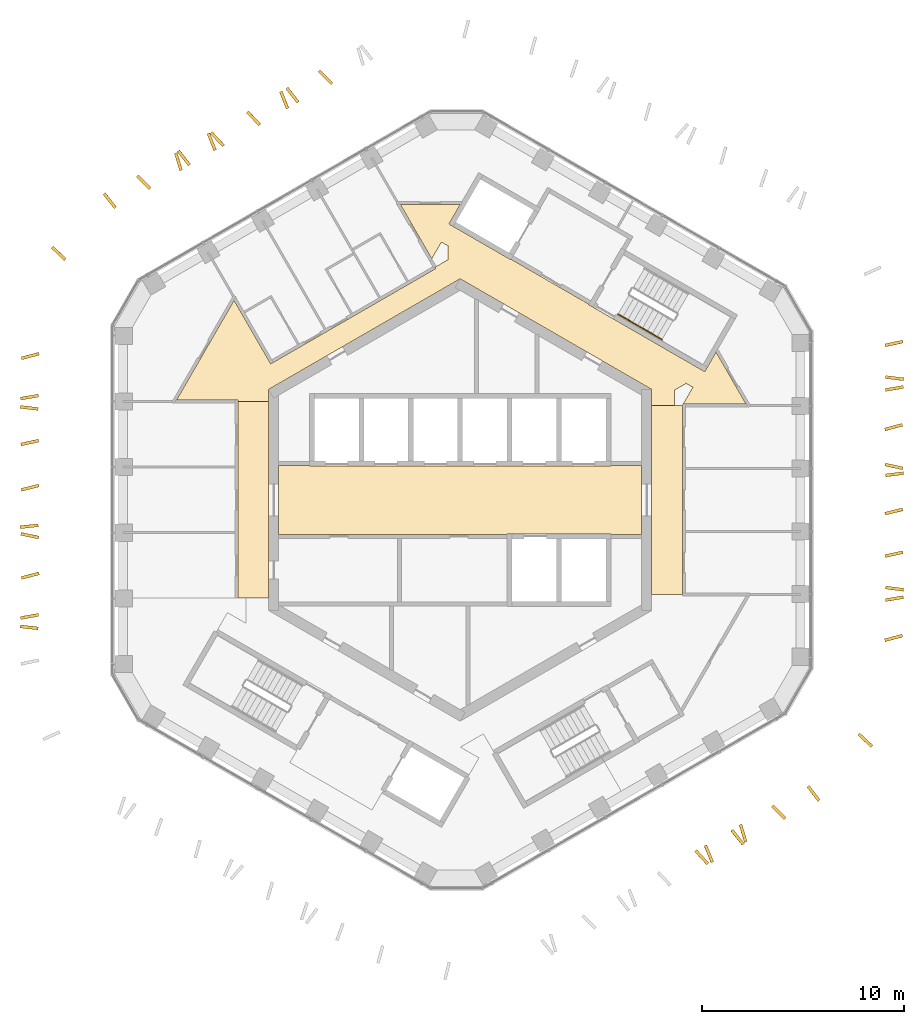
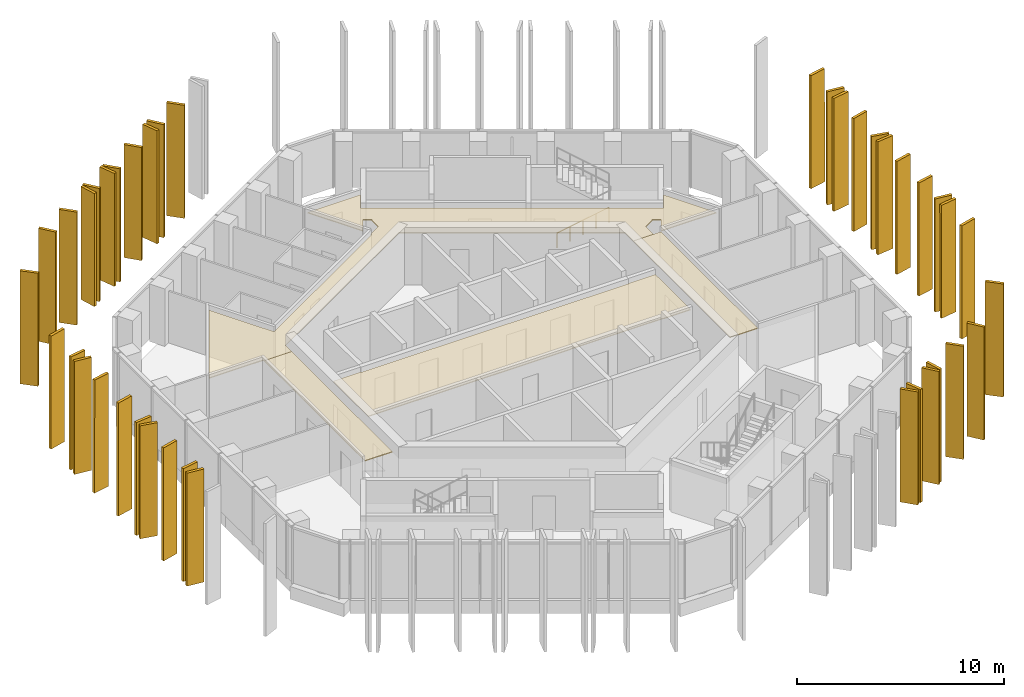
# One storey, part 17 of 18: 39 shading devices, 4 coverings, 2 railings.
"""IFC4 building model written with IfcOpenShell, lengths in metres."""

from ifc_helpers import new_model, si_unit, direction, frame, origin, origin_2d, place, context, subcontext, project, spatial, polyline, circle, outline, extrude, material, layer, layer_set, type_object, element, save


model = new_model("IFC4")

# Units and contexts
model_context = context("Model", 3, precision=1e-05, world=origin(), true_north=direction((0.0, 1.0)))
body_context = subcontext(model_context, "Body", "Model", "MODEL_VIEW")
ifc_project = project(units=[si_unit("LENGTHUNIT", "METRE"), si_unit("AREAUNIT", "SQUARE_METRE"), si_unit("VOLUMEUNIT", "CUBIC_METRE"), si_unit("PLANEANGLEUNIT", "RADIAN"), si_unit("MASSUNIT", "GRAM", prefix="KILO")], contexts=[model_context])

# Site, building, storey
site_placement = place(None, origin())
site = spatial("IfcSite", under=ifc_project, at=site_placement, CompositionType="ELEMENT")
building_placement = place(site_placement, origin())
building = spatial("IfcBuilding", under=site, at=building_placement, Name="Ayvan Gate Tower", CompositionType="ELEMENT")
storey_placement = place(building_placement, frame((0.0, 0.0, 229.10009765625)))
storey = spatial("IfcBuildingStorey", under=building, at=storey_placement, Name="L61", CompositionType="ELEMENT", Elevation=229.10009765625)

# Shading devices
ifc_material_1 = material(Name="Bronze anodised aluminium", Category="aluminium")
ifc_layer_1 = layer(ifc_material_1, 0.14990234375)
ifc_layer_set_1 = layer_set([ifc_layer_1], Name="Bronze anodised aluminium")
shading_device_type = type_object("IfcShadingDeviceType", Name="Bronze fin 900 x 150", PredefinedType="USERDEFINED", material=ifc_layer_set_1)
shading_device_1_placement = place(storey_placement, frame((-6.308349609375, 20.699951171875, 0.0), z_axis=(0.70710676206, 0.70710676206, 0.000232592407), x_axis=(-0.707106781194, 0.707106781179, 4.4618e-08)))
element("IfcShadingDevice", 1, at=shading_device_1_placement, inside=storey, type_object=shading_device_type, Name="Bronze fin FG23.1.3", ObjectType="FIN", PredefinedType="USERDEFINED", context=body_context, shape_type="SweptSolid", body=[
    extrude(outline(polyline([(0.0, 0.0), (0.8999383911927432, 0.0), (0.8999386892363677, 6.679931781161335), (2.980436280154672e-07, 6.679931861467813), (0.0, 0.0)])), origin(), (0.0, 0.0, -1.0), 0.14990234375),
])
shading_device_2_placement = place(storey_placement, frame((-7.97705078125, 19.76806640625, 0.0), z_axis=(0.787728165641, 0.616022955981, 0.000234009453), x_axis=(-0.616022972848, 0.787728187209, 0.0)))
element("IfcShadingDevice", 2, at=shading_device_2_placement, inside=storey, type_object=shading_device_type, Name="Bronze fin FG23.1.5", ObjectType="FIN", PredefinedType="USERDEFINED", context=body_context, shape_type="SweptSolid", body=[
    extrude(outline(polyline([(0.0, 0.0), (0.9000368229962461, 2.710505431213761e-20), (0.9000195383564527, 6.679931823522952), (-1.728463979350089e-05, 6.679931823522952), (0.0, 0.0)])), origin(), (0.0, 0.0, -1.0), 0.14990234375),
])
shading_device_3_placement = place(storey_placement, frame((-8.4921875, 19.4443359375, 0.0), z_axis=(0.92989165778, 0.367833456228, 0.000230803584), x_axis=(-0.367833466025, 0.929891682548, 0.0)))
element("IfcShadingDevice", 3, at=shading_device_3_placement, inside=storey, type_object=shading_device_type, Name="Bronze fin FG23.1.6", ObjectType="FIN", PredefinedType="USERDEFINED", context=body_context, shape_type="SweptSolid", body=[
    extrude(outline(polyline([(0.0, 0.0), (0.9000124188731935, 0.0), (0.9000971887538225, 6.679931818545971), (8.476988062900199e-05, 6.679931818545971), (0.0, 0.0)])), origin(), (0.0, 0.0, -1.0), 0.14990234375),
])
shading_device_4_placement = place(storey_placement, frame((-9.880126953125, 18.6484375, 0.0), z_axis=(0.729198703084, 0.68430198234, 0.000219970107), x_axis=(-0.684301998892, 0.729198720729, -2.1759e-08)))
element("IfcShadingDevice", 4, at=shading_device_4_placement, inside=storey, type_object=shading_device_type, Name="Bronze fin FG23.1.7", ObjectType="FIN", PredefinedType="USERDEFINED", context=body_context, shape_type="SweptSolid", body=[
    extrude(outline(polyline([(0.0, 0.0), (0.8998769049131943, 1.3552527156068805e-20), (0.8999999810281535, 6.679931821818416), (-4.3989802738936035e-05, 6.6799317826541555), (0.0, 0.0)])), origin(), (0.0, 0.0, -1.0), 0.14990234375),
])
shading_device_5_placement = place(storey_placement, frame((-11.67626953125, 17.611572265625, 0.0), z_axis=(0.729135175728, 0.684369667264, 0.000232475852), x_axis=(-0.684369685758, 0.729135195431, -1.412e-09)))
element("IfcShadingDevice", 5, at=shading_device_5_placement, inside=storey, type_object=shading_device_type, Name="Bronze fin FG23.1.9", ObjectType="FIN", PredefinedType="USERDEFINED", context=body_context, shape_type="SweptSolid", body=[
    extrude(outline(polyline([(0.0, 0.0), (0.8996988812508476, 1.3552527156068805e-20), (0.8998222379435654, 6.679931822404082), (-0.0002217372724161512, 6.679931819862848), (0.0, 0.0)])), origin(), (0.0, 0.0, -1.0), 0.14990234375),
])
shading_device_6_placement = place(storey_placement, frame((-12.08447265625, 17.370361328125, 0.0), z_axis=(0.929873301663, 0.367879853262, 0.000237525655), x_axis=(-0.367879863637, 0.929873327895, -1.1852e-08)))
element("IfcShadingDevice", 6, at=shading_device_6_placement, inside=storey, type_object=shading_device_type, Name="Bronze fin FG23.1.10", ObjectType="FIN", PredefinedType="USERDEFINED", context=body_context, shape_type="SweptSolid", body=[
    extrude(outline(polyline([(0.0, 0.0), (0.9000124177528437, 1.3552527156068805e-20), (0.8998701655374356, 6.679931839725588), (8.4767640035009e-05, 6.679931818395049), (0.0, 0.0)])), origin(), (0.0, 0.0, -1.0), 0.14990234375),
])
shading_device_7_placement = place(storey_placement, frame((-13.365478515625, 16.6572265625, 0.0), z_axis=(0.787625195149, 0.616154604954, 0.000234009883), x_axis=(-0.616154621825, 0.787625216714, 0.0)))
element("IfcShadingDevice", 7, at=shading_device_7_placement, inside=storey, type_object=shading_device_type, Name="Bronze fin FG23.1.11", ObjectType="FIN", PredefinedType="USERDEFINED", context=body_context, shape_type="SweptSolid", body=[
    extrude(outline(polyline([(0.0, 0.0), (0.8998445191125883, -2.710505431213761e-20), (0.8998274957342359, 6.679931823523623), (-1.702337835249811e-05, 6.679931823523623), (0.0, 0.0)])), origin(), (0.0, 0.0, -1.0), 0.14990234375),
])
shading_device_8_placement = place(storey_placement, frame((-13.766845703125, 16.366943359375, 0.0), z_axis=(0.956030859342, 0.293265992891, 0.000231085017), x_axis=(-0.293266000721, 0.956030884868, 0.0)))
element("IfcShadingDevice", 8, at=shading_device_8_placement, inside=storey, type_object=shading_device_type, Name="Bronze fin FG23.1.12", ObjectType="FIN", PredefinedType="USERDEFINED", context=body_context, shape_type="SweptSolid", body=[
    extrude(outline(polyline([(0.0, 0.0), (0.8999202600228349, -6.776263578034403e-21), (0.8998830369355773, 6.679931818980134), (-3.7223087257663896e-05, 6.679931818980134), (0.0, 0.0)])), origin(), (0.0, 0.0, -1.0), 0.14990234375),
])
shading_device_9_placement = place(storey_placement, frame((-15.319091796875, 15.49755859375, 0.0), z_axis=(0.70710676206, 0.70710676206, 0.000232592407), x_axis=(-0.707106781187, 0.707106781187, 0.0)))
element("IfcShadingDevice", 9, at=shading_device_9_placement, inside=storey, type_object=shading_device_type, Name="Bronze fin FG23.1.13", ObjectType="FIN", PredefinedType="USERDEFINED", context=body_context, shape_type="SweptSolid", body=[
    extrude(outline(polyline([(0.0, 0.0), (0.900111024684243, 0.0), (0.8999383911927423, 6.67993182131458), (0.00017263349150062194, 6.67993182131458), (0.0, 0.0)])), origin(), (0.0, 0.0, -1.0), 0.14990234375),
])
shading_device_10_placement = place(storey_placement, frame((-17.0390625, 14.535400390625, 0.0), z_axis=(0.784573627223, 0.620035624142, 0.000219682169), x_axis=(-0.620035639108, 0.784573646152, 2.3377e-08)))
element("IfcShadingDevice", 10, at=shading_device_10_placement, inside=storey, type_object=shading_device_type, Name="Bronze fin FG23.1.15", ObjectType="FIN", PredefinedType="USERDEFINED", context=body_context, shape_type="SweptSolid", body=[
    extrude(outline(polyline([(0.0, 0.0), (0.8999971815605226, -1.3552527156068805e-20), (0.8998366560728881, 6.679931780776712), (-9.149599180494802e-06, 6.679931822852479), (0.0, 0.0)])), origin(), (0.0, 0.0, -1.0), 0.14990234375),
])
shading_device_11_placement = place(storey_placement, frame((-19.52783203125, 11.97265625, 0.0), z_axis=(0.690088535978, 0.723724926882, 0.00020669032), x_axis=(-0.723724942342, 0.690088550718, 0.0)))
element("IfcShadingDevice", 11, at=shading_device_11_placement, inside=storey, type_object=shading_device_type, Name="Bronze fin FG23.2.16", ObjectType="FIN", PredefinedType="USERDEFINED", context=body_context, shape_type="SweptSolid", body=[
    extrude(outline(polyline([(0.0, 0.0), (0.9000203660144157, -1.3552527156068805e-20), (0.9000532140531101, 6.679931783311312), (3.284803869440452e-05, 6.679931783311312), (0.0, 0.0)])), origin(), (0.0, 0.0, -1.0), 0.14990234375),
])
shading_device_12_placement = place(storey_placement, frame((-20.903564453125, 7.3271484375, 0.0), z_axis=(-0.255948476132, 0.966690402433, 0.000208352031), x_axis=(-0.966690423414, -0.255948481691, 2.0083e-08)))
element("IfcShadingDevice", 12, at=shading_device_12_placement, inside=storey, type_object=shading_device_type, Name="Bronze fin FG23.3.17", ObjectType="FIN", PredefinedType="USERDEFINED", context=body_context, shape_type="SweptSolid", body=[
    extrude(outline(polyline([(0.0, 0.0), (0.9001220790437764, 0.0), (0.8999626334968022, 6.679931767541302), (0.000139050279467451, 6.679931803688756), (0.0, 0.0)])), origin(), (0.0, 0.0, -1.0), 0.14990234375),
])
shading_device_13_placement = place(storey_placement, frame((-20.92529296875, 5.252197265625, 0.0), z_axis=(-0.170642736954, 0.985332942159, 0.000222310602), x_axis=(-0.985332966507, -0.170642741171, 0.0)))
element("IfcShadingDevice", 13, at=shading_device_13_placement, inside=storey, type_object=shading_device_type, Name="Bronze fin FG23.3.19", ObjectType="FIN", PredefinedType="USERDEFINED", context=body_context, shape_type="SweptSolid", body=[
    extrude(outline(polyline([(0.0, 0.0), (0.8999178756226275, 0.0), (0.8999272807692384, 6.679931805692811), (9.405146611016657e-06, 6.679931805692811), (0.0, 0.0)])), origin(), (0.0, 0.0, -1.0), 0.14990234375),
])
shading_device_14_placement = place(storey_placement, frame((-20.915771484375, 4.587890625, 0.0), z_axis=(0.11528300971, 0.99333266249, 0.000222041555), x_axis=(-0.993332686977, 0.115283012552, 0.0)))
element("IfcShadingDevice", 14, at=shading_device_14_placement, inside=storey, type_object=shading_device_type, Name="Bronze fin FG23.3.20", ObjectType="FIN", PredefinedType="USERDEFINED", context=body_context, shape_type="SweptSolid", body=[
    extrude(outline(polyline([(0.0, 0.0), (0.9000438427842659, 0.0), (0.9001174840468795, 6.679931805293512), (7.364126261360504e-05, 6.679931805293512), (0.0, 0.0)])), origin(), (0.0, 0.0, -1.0), 0.14990234375),
])
shading_device_15_placement = place(storey_placement, frame((-20.917236328125, 3.0166015625, 0.0), z_axis=(-0.208074506957, 0.978112952846, 0.000225897792), x_axis=(-0.978112977803, -0.208074512264, -6.375e-09)))
element("IfcShadingDevice", 15, at=shading_device_15_placement, inside=storey, type_object=shading_device_type, Name="Bronze fin FG23.3.21", ObjectType="FIN", PredefinedType="USERDEFINED", context=body_context, shape_type="SweptSolid", body=[
    extrude(outline(polyline([(0.0, 0.0), (0.9000655636872769, 6.776263578034403e-21), (0.8998927235254105, 6.679931816799475), (6.59569518550482e-05, 6.6799318053255154), (0.0, 0.0)])), origin(), (0.0, 0.0, -1.0), 0.14990234375),
])
shading_device_16_placement = place(storey_placement, frame((-20.90771484375, 0.793701171875, 0.0), z_axis=(-0.242790928122, 0.970078613368, 0.000221602376), x_axis=(-0.970078637187, -0.242790934083, 0.0)))
element("IfcShadingDevice", 16, at=shading_device_16_placement, inside=storey, type_object=shading_device_type, Name="Bronze fin FG23.3.23", ObjectType="FIN", PredefinedType="USERDEFINED", context=body_context, shape_type="SweptSolid", body=[
    extrude(outline(polyline([(0.0, 0.0), (0.8999753644008668, -6.776263578034403e-21), (0.9000941795784336, 6.679931804642757), (0.00011881517756681811, 6.679931804642757), (0.0, 0.0)])), origin(), (0.0, 0.0, -1.0), 0.14990234375),
])
shading_device_17_placement = place(storey_placement, frame((-20.933349609375, -1.17822265625, 0.0), z_axis=(-0.112039217481, 0.993703761823, 0.000217909527), x_axis=(-0.993703785416, -0.112039220141, 0.0)))
element("IfcShadingDevice", 17, at=shading_device_17_placement, inside=storey, type_object=shading_device_type, Name="Bronze fin FG23.3.25", ObjectType="FIN", PredefinedType="USERDEFINED", context=body_context, shape_type="SweptSolid", body=[
    extrude(outline(polyline([(0.0, 0.0), (0.8999534091546, 0.0), (0.9001175291059785, 6.679931799221821), (0.00016411995137855526, 6.679931799221821), (0.0, 0.0)])), origin(), (0.0, 0.0, -1.0), 0.14990234375),
])
shading_device_18_placement = place(storey_placement, frame((-20.886962890625, -1.7880859375, 0.0), z_axis=(0.205730240519, 0.978608711659, 0.000240001713), x_axis=(-0.978608739842, 0.205730246452, -3.1851e-08)))
element("IfcShadingDevice", 18, at=shading_device_18_placement, inside=storey, type_object=shading_device_type, Name="Bronze fin FG23.3.26", ObjectType="FIN", PredefinedType="USERDEFINED", context=body_context, shape_type="SweptSolid", body=[
    extrude(outline(polyline([(0.0, 0.0), (0.9001390601578028, -6.776263578034403e-21), (0.9000261757676348, 6.679931861676576), (-6.265727921787475e-05, 6.679931804337411), (0.0, 0.0)])), origin(), (0.0, 0.0, -1.0), 0.14990234375),
])
shading_device_19_placement = place(storey_placement, frame((-20.90380859375, -3.56591796875, 0.0), z_axis=(-0.255501142142, 0.96680872735, 0.000226018935), x_axis=(-0.966808752044, -0.255501148669, 7.833e-09)))
element("IfcShadingDevice", 19, at=shading_device_19_placement, inside=storey, type_object=shading_device_type, Name="Bronze fin FG23.3.27", ObjectType="FIN", PredefinedType="USERDEFINED", context=body_context, shape_type="SweptSolid", body=[
    extrude(outline(polyline([(0.0, 0.0), (0.8999971861159454, 0.0), (0.9001354704050201, 6.679931804195276), (-9.775300390480044e-05, 6.679931818295782), (0.0, 0.0)])), origin(), (0.0, 0.0, -1.0), 0.14990234375),
])
shading_device_20_placement = place(storey_placement, frame((-20.924560546875, -5.622802734375, 0.0), z_axis=(-0.174969051017, 0.984573908011, 0.00022549969), x_axis=(-0.984573933044, -0.174969055467, 5.352e-09)))
element("IfcShadingDevice", 20, at=shading_device_20_placement, inside=storey, type_object=shading_device_type, Name="Bronze fin FG23.3.29", ObjectType="FIN", PredefinedType="USERDEFINED", context=body_context, shape_type="SweptSolid", body=[
    extrude(outline(polyline([(0.0, 0.0), (0.8998715438944135, -6.776263578034403e-21), (0.8998875074790774, 6.67993180564621), (-0.00022441091070814266, 6.679931815280179), (0.0, 0.0)])), origin(), (0.0, 0.0, -1.0), 0.14990234375),
])
shading_device_21_placement = place(storey_placement, frame((-20.916748046875, -6.295166015625, 0.0), z_axis=(0.111220485806, 0.993795731101, 0.000219962159), x_axis=(-0.993795755142, 0.111220488496, 3.318e-09)))
element("IfcShadingDevice", 21, at=shading_device_21_placement, inside=storey, type_object=shading_device_type, Name="Bronze fin FG23.3.30", ObjectType="FIN", PredefinedType="USERDEFINED", context=body_context, shape_type="SweptSolid", body=[
    extrude(outline(polyline([(0.0, 0.0), (0.9001142693175008, 0.0), (0.8999513708424758, 6.679931799237922), (7.972744175767037e-05, 6.679931805209846), (0.0, 0.0)])), origin(), (0.0, 0.0, -1.0), 0.14990234375),
])
shading_device_22_placement = place(storey_placement, frame((11.620361328125, -17.440185546875, 0.0), z_axis=(-0.733778186218, -0.679389082212, 0.00022000505), x_axis=(0.679389098657, -0.733778203973, 2.1894e-08)))
element("IfcShadingDevice", 22, at=shading_device_22_placement, inside=storey, type_object=shading_device_type, Name="Bronze fin FG23.7.57", ObjectType="FIN", PredefinedType="USERDEFINED", context=body_context, shape_type="SweptSolid", body=[
    extrude(outline(polyline([(0.0, 0.0), (0.9000829428425525, 2.710505431213761e-20), (0.9000299747322679, 6.679931782581525), (0.00011289836887980945, 6.679931821990714), (0.0, 0.0)])), origin(), (0.0, 0.0, -1.0), 0.14990234375),
])
shading_device_23_placement = place(storey_placement, frame((12.094970703125, -17.16259765625, 0.0), z_axis=(-0.925577177222, -0.378558895314, 0.000227562997), x_axis=(0.37855890511, -0.925577201189, -2.857e-08)))
element("IfcShadingDevice", 23, at=shading_device_23_placement, inside=storey, type_object=shading_device_type, Name="Bronze fin FG23.7.58", ObjectType="FIN", PredefinedType="USERDEFINED", context=body_context, shape_type="SweptSolid", body=[
    extrude(outline(polyline([(0.0, 0.0), (0.8999411823943511, -1.3552527156068805e-20), (0.8998176082057214, 6.679931839292653), (-0.0002159957963225104, 6.679931787867376), (0.0, 0.0)])), origin(), (0.0, 0.0, -1.0), 0.14990234375),
])
shading_device_24_placement = place(storey_placement, frame((13.416259765625, -16.420166015625, 0.0), z_axis=(-0.780180208046, -0.625554784337, 0.000234023617), x_axis=(0.625554801467, -0.78018022941, 0.0)))
element("IfcShadingDevice", 24, at=shading_device_24_placement, inside=storey, type_object=shading_device_type, Name="Bronze fin FG23.7.59", ObjectType="FIN", PredefinedType="USERDEFINED", context=body_context, shape_type="SweptSolid", body=[
    extrude(outline(polyline([(0.0, 0.0), (0.8999823515539183, 0.0), (0.8999840734996447, 6.679931823545092), (1.72194572647371e-06, 6.679931823545092), (0.0, 0.0)])), origin(), (0.0, 0.0, -1.0), 0.14990234375),
])
shading_device_25_placement = place(storey_placement, frame((13.832763671875, -16.119384765625, 0.0), z_axis=(-0.958265576782, -0.285879399357, 0.000231035132), x_axis=(0.285879406987, -0.958265602357, 0.0)))
element("IfcShadingDevice", 25, at=shading_device_25_placement, inside=storey, type_object=shading_device_type, Name="Bronze fin FG23.7.60", ObjectType="FIN", PredefinedType="USERDEFINED", context=body_context, shape_type="SweptSolid", body=[
    extrude(outline(polyline([(0.0, 0.0), (0.9001145674052323, 1.3552527156068805e-20), (0.9000654329416597, 6.679931818903139), (-4.9134463572601015e-05, 6.679931818903139), (0.0, 0.0)])), origin(), (0.0, 0.0, -1.0), 0.14990234375),
])
shading_device_26_placement = place(storey_placement, frame((15.430908203125, -15.2275390625, 0.0), z_axis=(-0.707310179782, -0.706903289937, 0.000219666881), x_axis=(0.706903306996, -0.707310196843, 2.1063e-08)))
element("IfcShadingDevice", 26, at=shading_device_26_placement, inside=storey, type_object=shading_device_type, Name="Bronze fin FG23.7.61", ObjectType="FIN", PredefinedType="USERDEFINED", context=body_context, shape_type="SweptSolid", body=[
    extrude(outline(polyline([(0.0, 0.0), (0.8999384036136089, -1.3552527156068805e-20), (0.8999381469601698, 6.679931782834709), (-0.0001729398069651929, 6.679931820749294), (0.0, 0.0)])), origin(), (0.0, 0.0, -1.0), 0.14990234375),
])
shading_device_27_placement = place(storey_placement, frame((17.190673828125, -14.244140625, 0.0), z_axis=(-0.791123856858, -0.611655944886, 0.000219534415), x_axis=(0.611655959621, -0.791123875926, -2.3562e-08)))
element("IfcShadingDevice", 27, at=shading_device_27_placement, inside=storey, type_object=shading_device_type, Name="Bronze fin FG23.7.63", ObjectType="FIN", PredefinedType="USERDEFINED", context=body_context, shape_type="SweptSolid", body=[
    extrude(outline(polyline([(0.0, 0.0), (0.899802186324666, 2.710505431213761e-20), (0.8997760973641091, 6.679931822796286), (-0.00017541902882385762, 6.679931780390688), (0.0, 0.0)])), origin(), (0.0, 0.0, -1.0), 0.14990234375),
])
shading_device_28_placement = place(storey_placement, frame((19.712158203125, -11.658447265625, 0.0), z_axis=(-0.68597797176, -0.727622274178, 0.000219955854), x_axis=(0.727622291783, -0.68597798835, 2.1712e-08)))
element("IfcShadingDevice", 28, at=shading_device_28_placement, inside=storey, type_object=shading_device_type, Name="Bronze fin FG23.8.64", ObjectType="FIN", PredefinedType="USERDEFINED", context=body_context, shape_type="SweptSolid", body=[
    extrude(outline(polyline([(0.0, 0.0), (0.8998133157007642, 1.3552527156068805e-20), (0.8998541290002839, 6.679931782676881), (-0.0001266617952922306, 6.679931821753951), (0.0, 0.0)])), origin(), (0.0, 0.0, -1.0), 0.14990234375),
])
shading_device_29_placement = place(storey_placement, frame((21.081298828125, -7.03173828125, 0.0), z_axis=(0.257730185657, -0.966216901281, 0.000226011355), x_axis=(0.966216925958, 0.257730192241, 7.902e-09)))
element("IfcShadingDevice", 29, at=shading_device_29_placement, inside=storey, type_object=shading_device_type, Name="Bronze fin FG23.9.65", ObjectType="FIN", PredefinedType="USERDEFINED", context=body_context, shape_type="SweptSolid", body=[
    extrude(outline(polyline([(0.0, 0.0), (0.8997905654210977, 6.776263578034403e-21), (0.8999322598663182, 6.679931804122535), (-9.419835896847289e-05, 6.679931818345578), (0.0, 0.0)])), origin(), (0.0, 0.0, -1.0), 0.14990234375),
])
shading_device_30_placement = place(storey_placement, frame((21.10546875, -5.03857421875, 0.0), z_axis=(0.158699342007, -0.987326932027, 0.000219411252), x_axis=(0.987326955792, 0.158699345828, 4.724e-09)))
element("IfcShadingDevice", 30, at=shading_device_30_placement, inside=storey, type_object=shading_device_type, Name="Bronze fin FG23.9.67", ObjectType="FIN", PredefinedType="USERDEFINED", context=body_context, shape_type="SweptSolid", body=[
    extrude(outline(polyline([(0.0, 0.0), (0.8998344505461329, 0.0), (0.9000669518449301, 6.679931797163658), (-8.545321269121104e-06, 6.679931805665875), (0.0, 0.0)])), origin(), (0.0, 0.0, -1.0), 0.14990234375),
])
shading_device_31_placement = place(storey_placement, frame((21.09033203125, -4.415283203125, 0.0), z_axis=(-0.128840540791, -0.991665299226, 0.000222171424), x_axis=(0.9916653237, -0.128840543971, 0.0)))
element("IfcShadingDevice", 31, at=shading_device_31_placement, inside=storey, type_object=shading_device_type, Name="Bronze fin FG23.9.68", ObjectType="FIN", PredefinedType="USERDEFINED", context=body_context, shape_type="SweptSolid", body=[
    extrude(outline(polyline([(0.0, 0.0), (0.9000800004477174, 0.0), (0.9001333749740541, 6.679931805486193), (5.337452633662356e-05, 6.679931805486193), (0.0, 0.0)])), origin(), (0.0, 0.0, -1.0), 0.14990234375),
])
shading_device_32_placement = place(storey_placement, frame((21.093017578125, -2.85888671875, 0.0), z_axis=(0.216729403149, -0.976231692032, 0.00022199918), x_axis=(0.976231716088, 0.21672940849, 0.0)))
element("IfcShadingDevice", 32, at=shading_device_32_placement, inside=storey, type_object=shading_device_type, Name="Bronze fin FG23.9.69", ObjectType="FIN", PredefinedType="USERDEFINED", context=body_context, shape_type="SweptSolid", body=[
    extrude(outline(polyline([(0.0, 0.0), (0.9000548690388707, 0.0), (0.9001340059370273, 6.679931805230666), (7.913689815672304e-05, 6.679931805230666), (0.0, 0.0)])), origin(), (0.0, 0.0, -1.0), 0.14990234375),
])
shading_device_33_placement = place(storey_placement, frame((21.08740234375, -0.753173828125, 0.0), z_axis=(0.237649340741, -0.971350986901, 0.000226036327), x_axis=(0.971351011715, 0.237649346814, 7.287e-09)))
element("IfcShadingDevice", 33, at=shading_device_33_placement, inside=storey, type_object=shading_device_type, Name="Bronze fin FG23.9.71", ObjectType="FIN", PredefinedType="USERDEFINED", context=body_context, shape_type="SweptSolid", body=[
    extrude(outline(polyline([(0.0, 0.0), (0.8998089476921758, 0.0), (0.8999199692890112, 6.679931804713839), (-0.0001261246462589805, 6.679931817830163), (0.0, 0.0)])), origin(), (0.0, 0.0, -1.0), 0.14990234375),
])
shading_device_34_placement = place(storey_placement, frame((21.1103515625, 1.145263671875, 0.0), z_axis=(0.121797531887, -0.992554942485, 0.000217657602), x_axis=(0.992554965996, 0.121797534772, 0.0)))
element("IfcShadingDevice", 34, at=shading_device_34_placement, inside=storey, type_object=shading_device_type, Name="Bronze fin FG23.9.73", ObjectType="FIN", PredefinedType="USERDEFINED", context=body_context, shape_type="SweptSolid", body=[
    extrude(outline(polyline([(0.0, 0.0), (0.9000111605693982, -3.3881317890172014e-21), (0.900189574926975, 6.679931798855325), (0.00017841435757675887, 6.679931798855325), (0.0, 0.0)])), origin(), (0.0, 0.0, -1.0), 0.14990234375),
])
shading_device_35_placement = place(storey_placement, frame((21.0625, 1.6826171875, 0.0), z_axis=(-0.212131185786, -0.977241172369, 0.000225929016), x_axis=(0.97724119731, -0.212131191201, -6.501e-09)))
element("IfcShadingDevice", 35, at=shading_device_35_placement, inside=storey, type_object=shading_device_type, Name="Bronze fin FG23.9.74", ObjectType="FIN", PredefinedType="USERDEFINED", context=body_context, shape_type="SweptSolid", body=[
    extrude(outline(polyline([(0.0, 0.0), (0.8998802207591221, 0.0), (0.9000466068344782, 6.679931816961453), (-7.219820133090337e-05, 6.6799318052590735), (0.0, 0.0)])), origin(), (0.0, 0.0, -1.0), 0.14990234375),
])
shading_device_36_placement = place(storey_placement, frame((21.081298828125, 3.424072265625, 0.0), z_axis=(0.256902753431, -0.966437232415, 0.00022601431), x_axis=(0.966437257099, 0.256902759991, -7.875e-09)))
element("IfcShadingDevice", 36, at=shading_device_36_placement, inside=storey, type_object=shading_device_type, Name="Bronze fin FG23.9.75", ObjectType="FIN", PredefinedType="USERDEFINED", context=body_context, shape_type="SweptSolid", body=[
    extrude(outline(polyline([(0.0, 0.0), (0.9000739406140514, 0.0), (0.8999783172216723, 6.679931818325805), (0.0001403232035923416, 6.6799318041519555), (0.0, 0.0)])), origin(), (0.0, 0.0, -1.0), 0.14990234375),
])
shading_device_37_placement = place(storey_placement, frame((21.103759765625, 5.38037109375, 0.0), z_axis=(0.168180741196, -0.985756150814, 0.000222313426), x_axis=(0.985756175174, 0.168180745352, 0.0)))
element("IfcShadingDevice", 37, at=shading_device_37_placement, inside=storey, type_object=shading_device_type, Name="Bronze fin FG23.9.77", ObjectType="FIN", PredefinedType="USERDEFINED", context=body_context, shape_type="SweptSolid", body=[
    extrude(outline(polyline([(0.0, 0.0), (0.9000268561276928, -6.776263578034403e-21), (0.9000325515126869, 6.679931805697004), (5.695384994107711e-06, 6.679931805697004), (0.0, 0.0)])), origin(), (0.0, 0.0, -1.0), 0.14990234375),
])
shading_device_38_placement = place(storey_placement, frame((21.092529296875, 6.019287109375, 0.0), z_axis=(-0.120027584329, -0.992770528011, 0.000240233764), x_axis=(0.99277055666, -0.120027587785, 3.2347e-08)))
element("IfcShadingDevice", 38, at=shading_device_38_placement, inside=storey, type_object=shading_device_type, Name="Bronze fin FG23.9.78", ObjectType="FIN", PredefinedType="USERDEFINED", context=body_context, shape_type="SweptSolid", body=[
    extrude(outline(polyline([(0.0, 0.0), (0.9000469802674953, 3.3881317890172014e-21), (0.9001137503025447, 6.679931804266428), (3.746642475029128e-05, 6.679931862494184), (0.0, 0.0)])), origin(), (0.0, 0.0, -1.0), 0.14990234375),
])
shading_device_39_placement = place(storey_placement, frame((21.093994140625, 7.59228515625, 0.0), z_axis=(0.213381308365, -0.976968965573, 0.000239891802), x_axis=(0.976968993686, 0.213381314498, -3.1793e-08)))
element("IfcShadingDevice", 39, at=shading_device_39_placement, inside=storey, type_object=shading_device_type, Name="Bronze fin FG23.9.79", ObjectType="FIN", PredefinedType="USERDEFINED", context=body_context, shape_type="SweptSolid", body=[
    extrude(outline(polyline([(0.0, 0.0), (0.8998493797503337, 0.0), (0.8999753148845406, 6.6799318614468595), (7.384008672219537e-05, 6.679931804226733), (0.0, 0.0)])), origin(), (0.0, 0.0, -1.0), 0.14990234375),
])

# Coverings
ifc_material_2 = material(Name="Plasterboard suspended ceiling")
ifc_layer_2 = layer(ifc_material_2, 0.050048828125)
ifc_layer_set_2 = layer_set([ifc_layer_2], Name="Plasterboard suspended ceiling")
covering_type = type_object("IfcCoveringType", Name="CT-SUSP-50", PredefinedType="CEILING", material=ifc_layer_set_2)
covering_1_placement = place(storey_placement, frame((0.0, 0.0, 2.699951171875)))
element("IfcCovering", 40, at=covering_1_placement, inside=storey, type_object=covering_type, Name="Ceiling Lift Lobby L61", PredefinedType="CEILING", context=body_context, shape_type="SweptSolid", body=[
    extrude(outline(polyline([(7.47509765625, -1.675048828125), (2.324951171875, -1.675048828125), (2.324951171875, -1.699951171875), (-9.0, -1.699951171875), (-9.0, 1.699951171875), (-7.47509765625, 1.699951171875), (-7.47509765625, 1.675048828125), (7.47509765625, 1.675048828125), (7.47509765625, 1.699951171875), (9.0, 1.699951171875), (9.0, -1.699951171875), (7.47509765625, -1.699951171875), (7.47509765625, -1.675048828125)])), origin(), (0.0, 0.0, 1.0), 0.050048828125),
])
covering_2_placement = place(storey_placement, frame((0.0, 0.0, 2.699951171875)))
element("IfcCovering", 41, at=covering_2_placement, inside=storey, type_object=covering_type, Name="Ceiling Gallery L61", PredefinedType="CEILING", context=body_context, shape_type="SweptSolid", body=[
    extrude(outline(polyline([(-0.53955078125, 12.56298828125), (-0.930419921875, 12.78857421875), (-1.4072265625, 11.96240234375), (-2.963623046875, 14.658203125), (0.004638671875, 14.658203125), (-0.55615234375, 13.686767578125), (-0.339599609375, 13.561767578125), (2.518310546875, 11.91162109375), (2.53076171875, 11.933349609375), (6.384521484375, 9.70849609375), (6.3720703125, 9.686767578125), (6.588623046875, 9.561767578125), (12.131103515625, 6.36181640625), (12.24609375, 6.56103515625), (12.69189453125, 7.3330078125), (14.176025390625, 4.762451171875), (11.0634765625, 4.762451171875), (11.540283203125, 5.58837890625), (11.149658203125, 5.814208984375), (11.1796875, 5.76171875), (10.6201171875, 5.438720703125), (10.6201171875, 4.6875), (9.5, 4.6875), (9.5, 5.48486328125), (4.66748046875, 8.27490234375), (0.0, 10.9697265625), (-4.667724609375, 8.27490234375), (-8.809326171875, 5.883544921875), (-9.5, 5.48486328125), (-9.5, 4.872314453125), (-11.02490234375, 4.872314453125), (-11.02490234375, 4.947509765625), (-14.0693359375, 4.947509765625), (-11.21240234375, 9.895751953125), (-9.39697265625, 6.7509765625), (-9.266845703125, 6.825927734375), (-1.212890625, 11.475830078125), (-1.25048828125, 11.541015625), (-0.60009765625, 11.91650390625), (-0.60009765625, 12.56298828125), (-0.53955078125, 12.56298828125)])), origin(), (0.0, 0.0, 1.0), 0.050048828125),
])
covering_3_placement = place(storey_placement, frame((0.0, 0.0, 2.699951171875)))
element("IfcCovering", 42, at=covering_3_placement, inside=storey, type_object=covering_type, Name="Ceiling Lift Lounge Lobby L61", PredefinedType="CEILING", context=body_context, shape_type="SweptSolid", body=[
    extrude(outline(polyline([(11.02490234375, -4.6875), (9.5, -4.6875), (9.5, 4.6875), (11.02490234375, 4.6875), (11.02490234375, -4.6123046875), (11.02490234375, -4.6123046875), (11.02490234375, -4.6875)])), origin(), (0.0, 0.0, 1.0), 0.050048828125),
])
covering_4_placement = place(storey_placement, frame((0.0, 0.0, 2.699951171875)))
element("IfcCovering", 43, at=covering_4_placement, inside=storey, type_object=covering_type, Name="Ceiling Lift Lounge Lobby L61", PredefinedType="CEILING", context=body_context, shape_type="SweptSolid", body=[
    extrude(outline(polyline([(-11.02490234375, 4.872314453125), (-9.5, 4.872314453125), (-9.5, -4.872314453125), (-11.02490234375, -4.872314453125), (-11.02490234375, 4.872314453125)])), origin(), (0.0, 0.0, 1.0), 0.050048828125),
])

# Railings
ifc_material_3 = material(Name="Stainless steel balustrade", Category="steel")
railing_type = type_object("IfcRailingType", Name="RL-HANDRAIL-900", PredefinedType="HANDRAIL", material=ifc_material_3)
railing_1_placement = place(storey_placement, frame((7.8310546875, 9.2138671875, 0.169921875)))
element("IfcRailing", 44, at=railing_1_placement, inside=storey, type_object=railing_type, Name="L61 STS1 stair handrail 1", PredefinedType="HANDRAIL", context=body_context, shape_type="SweptSolid", body=[
    extrude(circle(Radius=0.02392578125, at=origin_2d()), frame((0.0, 0.0, 0.8759765625), z_axis=(0.740356597536, -0.427319915356, 0.518912129772), x_axis=(0.499890179513, 0.866088799389, 0.0)), (0.0, 0.0, 1.0), 1.47412109375),
    extrude(circle(Radius=0.02099609375, at=origin_2d()), origin(), (0.0, 0.0, 1.0), 0.851806640625),
    extrude(circle(Radius=0.02099609375, at=origin_2d()), frame((0.545654296875, -0.31494140625, 0.38232421875)), (0.0, 0.0, 1.0), 0.851806640625),
    extrude(circle(Radius=0.02099609375, at=origin_2d()), frame((1.09130859375, -0.6298828125, 0.764892578125)), (0.0, 0.0, 1.0), 0.851806640625),
])
railing_2_placement = place(storey_placement, frame((8.92236328125, 8.583984375, 0.934814453125)))
element("IfcRailing", 45, at=railing_2_placement, inside=storey, type_object=railing_type, Name="L61 STS1 stair handrail 2", PredefinedType="HANDRAIL", context=body_context, shape_type="SweptSolid", body=[
    extrude(circle(Radius=0.02392578125, at=origin_2d()), frame((0.0, 0.0, 0.8759765625), z_axis=(0.740165700939, -0.427470949681, 0.519060037311), x_axis=(0.50011940292, 0.865956455501, 0.0)), (0.0, 0.0, 1.0), 1.47412109375),
    extrude(circle(Radius=0.02099609375, at=origin_2d()), origin(), (0.0, 0.0, 1.0), 0.851806640625),
    extrude(circle(Radius=0.02099609375, at=origin_2d()), frame((0.54541015625, -0.31494140625, 0.382568359375)), (0.0, 0.0, 1.0), 0.851806640625),
    extrude(circle(Radius=0.02099609375, at=origin_2d()), frame((1.091064453125, -0.630126953125, 0.76513671875)), (0.0, 0.0, 1.0), 0.851806640625),
])

save(model, "model.ifc")
